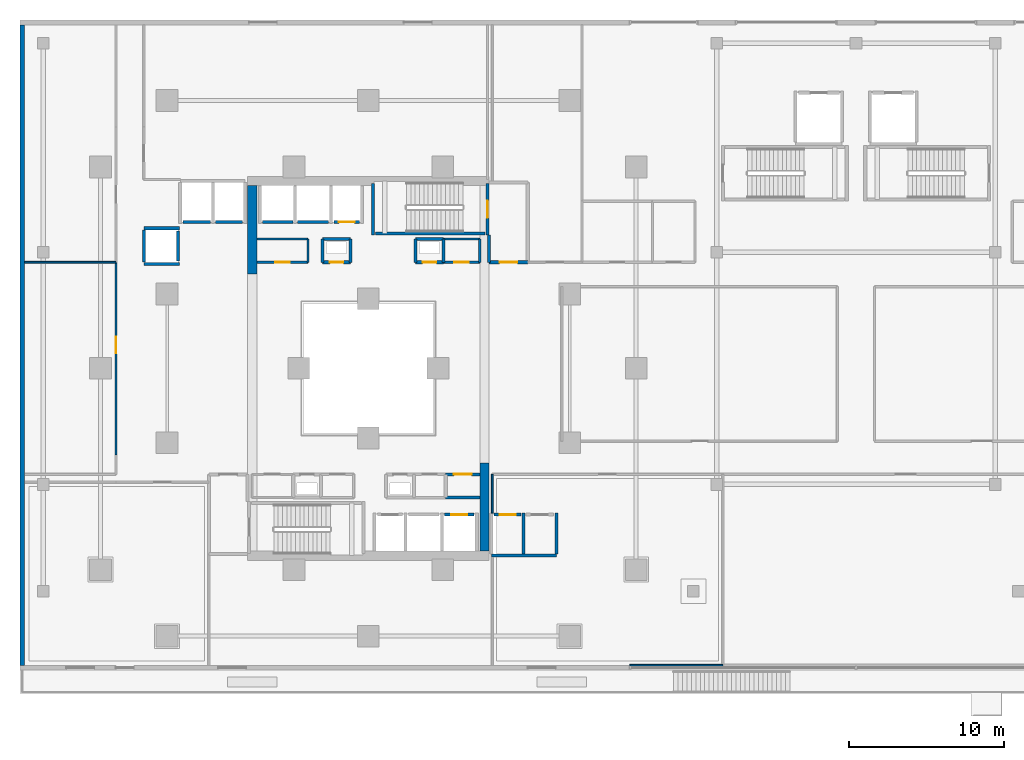
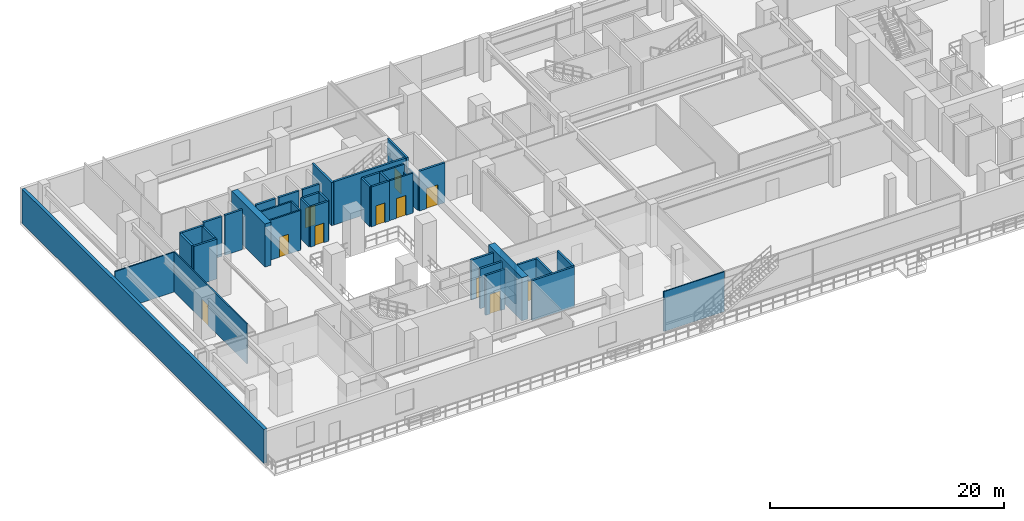
# One storey, part 14 of 25: 42 walls, 11 doors, 11 openings.
"""IFC4 building model written with IfcOpenShell, lengths in metres."""

from ifc_helpers import new_model, si_unit, direction, frame, frame_2d, origin, place, context, subcontext, project, spatial, rectangle, extrude, material, layer, layer_set, type_object, element, fill, save


model = new_model("IFC4")

# Units and contexts
model_context = context("Model", 3, precision=1e-05, world=origin(), true_north=direction((0.0, 1.0)))
body_context = subcontext(model_context, "Body", "Model", "MODEL_VIEW")
ifc_project = project(units=[si_unit("LENGTHUNIT", "METRE"), si_unit("AREAUNIT", "SQUARE_METRE"), si_unit("VOLUMEUNIT", "CUBIC_METRE"), si_unit("PLANEANGLEUNIT", "RADIAN"), si_unit("MASSUNIT", "GRAM", prefix="KILO")], contexts=[model_context])

# Site, building, storey
site_placement = place(None, origin())
site = spatial("IfcSite", under=ifc_project, at=site_placement, CompositionType="ELEMENT")
building_placement = place(site_placement, origin())
building = spatial("IfcBuilding", under=site, at=building_placement, Name="Thornwick Lancets Civic Towers", CompositionType="ELEMENT")
storey_placement = place(building_placement, frame((0.0, 0.0, 9.60009765625)))
storey = spatial("IfcBuildingStorey", under=building, at=storey_placement, Name="L02", CompositionType="ELEMENT", Elevation=9.60009765625)

# Wall, opening, door
ifc_material_1 = material(Name="Concrete blockwork C40/50", Category="masonry")
ifc_layer_1 = layer(ifc_material_1, 0.199951171875, Name="Concrete blockwork C40/50")
ifc_layer_set_1 = layer_set([ifc_layer_1], Name="Concrete blockwork C40/50")
wall_type_1 = type_object("IfcWallType", Name="WALL_COMP_200", PredefinedType="STANDARD", material=ifc_layer_set_1)
wall_1_placement = place(storey_placement, frame((30.429931640625, 17.550048828125, 0.0), z_axis=(0.0, 0.0, 1.0), x_axis=(1.0, 0.0, 0.0)))
wall_1 = element("IfcWall", 1, at=wall_1_placement, inside=storey, type_object=wall_type_1, Name="L02 Hoistway Front Wall PL-AL1", PredefinedType="STANDARD", context=body_context, shape_type="SweptSolid", body=[
    extrude(rectangle(XDim=1.89013671875, YDim=0.199951171875, at=frame_2d((0.945068359375, 0.0))), origin(), (0.0, 0.0, 1.0), 4.159912109375),
])
opening_1_placement = place(wall_1_placement, frame((0.43505859375, 0.0, 0.0)))
opening_1 = element("IfcOpeningElement", 2, at=opening_1_placement, cuts=wall_1, Name="Opening LD-PL-AL1", PredefinedType="OPENING", context=body_context, shape_type="SweptSolid", body=[
    extrude(rectangle(XDim=1.02001953125, YDim=2.06005859375, at=frame_2d((0.510009765625, 1.030029296875))), frame((0.0, 0.10986328125, 0.0), z_axis=(0.0, -1.0, 0.0), x_axis=(1.0, 0.0, 0.0)), (0.0, 0.0, 1.0), 0.219970703125),
])
ifc_material_2 = material(Name="Brushed bronze stainless steel", Category="steel")
door_type_1 = type_object("IfcDoorType", Name="DOOR_LIFT_SLIDE", OperationType="SLIDING_TO_LEFT", PredefinedType="DOOR", material=ifc_material_2)
door_1_placement = place(opening_1_placement, origin())
door_1 = element("IfcDoor", 3, at=door_1_placement, inside=storey, type_object=door_type_1, Name="L02 Sliding Lift Landing Door LD-PL-AL1", OperationType="SLIDING_TO_LEFT", OverallHeight=2.06005859375, OverallWidth=1.02001953125, PredefinedType="DOOR", context=body_context, shape_type="SweptSolid", body=[
    extrude(rectangle(XDim=1.02001953125, YDim=2.06005859375, at=frame_2d((0.510009765625, 1.030029296875))), frame((0.0, 0.02490234375, 0.0), z_axis=(0.0, -1.0, 0.0), x_axis=(1.0, 0.0, 0.0)), (0.0, 0.0, 1.0), 0.050048828125),
])
fill(opening_1, door_1)

wall_2_placement = place(storey_placement, frame((33.6298828125, 17.550048828125, 0.0), z_axis=(0.0, 0.0, 1.0), x_axis=(1.0, 0.0, 0.0)))
wall_2 = element("IfcWall", 4, at=wall_2_placement, inside=storey, type_object=wall_type_1, Name="L02 Hoistway Front Wall PL-AL2", PredefinedType="STANDARD", context=body_context, shape_type="SweptSolid", body=[
    extrude(rectangle(XDim=1.740234375, YDim=0.199951171875, at=frame_2d((0.8701171875, 0.0))), origin(), (0.0, 0.0, 1.0), 4.159912109375),
])
opening_2_placement = place(wall_2_placement, frame((0.360107421875, 0.0, 0.0)))
opening_2 = element("IfcOpeningElement", 5, at=opening_2_placement, cuts=wall_2, Name="Opening LD-PL-AL2", PredefinedType="OPENING", context=body_context, shape_type="SweptSolid", body=[
    extrude(rectangle(XDim=1.02001953125, YDim=2.06005859375, at=frame_2d((0.510009765625, 1.030029296875))), frame((0.0, 0.10986328125, 0.0), z_axis=(0.0, -1.0, 0.0), x_axis=(1.0, 0.0, 0.0)), (0.0, 0.0, 1.0), 0.219970703125),
])
door_2_placement = place(opening_2_placement, origin())
door_2 = element("IfcDoor", 6, at=door_2_placement, inside=storey, type_object=door_type_1, Name="L02 Sliding Lift Landing Door LD-PL-AL2", OperationType="SLIDING_TO_LEFT", OverallHeight=2.06005859375, OverallWidth=1.02001953125, PredefinedType="DOOR", context=body_context, shape_type="SweptSolid", body=[
    extrude(rectangle(XDim=1.02001953125, YDim=2.06005859375, at=frame_2d((0.510009765625, 1.030029296875))), frame((0.0, 0.02490234375, 0.0), z_axis=(0.0, -1.0, 0.0), x_axis=(1.0, 0.0, 0.0)), (0.0, 0.0, 1.0), 0.050048828125),
])
fill(opening_2, door_2)

wall_3_placement = place(storey_placement, frame((24.919921875, 36.449951171875, 0.0), z_axis=(0.0, 0.0, 1.0), x_axis=(-1.0, 0.0, 0.0)))
wall_3 = element("IfcWall", 7, at=wall_3_placement, inside=storey, type_object=wall_type_1, Name="L02 Hoistway Front Wall FL-A2", PredefinedType="STANDARD", context=body_context, shape_type="SweptSolid", body=[
    extrude(rectangle(XDim=1.639892578125, YDim=0.199951171875, at=frame_2d((0.81982421875, 0.0))), origin(), (0.0, 0.0, 1.0), 4.159912109375),
])
opening_3_placement = place(wall_3_placement, frame((0.31005859375, 0.0, 0.0)))
opening_3 = element("IfcOpeningElement", 8, at=opening_3_placement, cuts=wall_3, Name="Opening LD-FL-A2", PredefinedType="OPENING", context=body_context, shape_type="SweptSolid", body=[
    extrude(rectangle(XDim=1.02001953125, YDim=2.06005859375, at=frame_2d((0.510009765625, 1.030029296875))), frame((0.0, 0.10986328125, 0.0), z_axis=(0.0, -1.0, 0.0), x_axis=(1.0, 0.0, 0.0)), (0.0, 0.0, 1.0), 0.219970703125),
])
door_3_placement = place(opening_3_placement, origin())
door_3 = element("IfcDoor", 9, at=door_3_placement, inside=storey, type_object=door_type_1, Name="L02 Sliding Lift Landing Door LD-FL-A2", OperationType="SLIDING_TO_LEFT", OverallHeight=2.06005859375, OverallWidth=1.02001953125, PredefinedType="DOOR", context=body_context, shape_type="SweptSolid", body=[
    extrude(rectangle(XDim=1.02001953125, YDim=2.06005859375, at=frame_2d((0.510009765625, 1.030029296875))), frame((0.0, 0.02490234375, 0.0), z_axis=(0.0, -1.0, 0.0), x_axis=(1.0, 0.0, 0.0)), (0.0, 0.0, 1.0), 0.050048828125),
])
fill(opening_3, door_3)

# Walls
wall_4_placement = place(storey_placement, frame((22.919921875, 36.449951171875, 0.0), z_axis=(0.0, 0.0, 1.0), x_axis=(-1.0, 0.0, 0.0)))
element("IfcWall", 10, at=wall_4_placement, inside=storey, type_object=wall_type_1, Name="L02 Hoistway Front Wall PL-AH2", PredefinedType="STANDARD", context=body_context, shape_type="SweptSolid", body=[
    extrude(rectangle(XDim=1.989990234375, YDim=0.199951171875, at=frame_2d((0.9951171875, 0.0))), origin(), (0.0, 0.0, 1.0), 4.159912109375),
])
wall_5_placement = place(storey_placement, frame((20.6201171875, 36.449951171875, 0.0), z_axis=(0.0, 0.0, 1.0), x_axis=(-1.0, 0.0, 0.0)))
element("IfcWall", 11, at=wall_5_placement, inside=storey, type_object=wall_type_1, Name="L02 Hoistway Front Wall PL-AH3", PredefinedType="STANDARD", context=body_context, shape_type="SweptSolid", body=[
    extrude(rectangle(XDim=1.940185546875, YDim=0.199951171875, at=frame_2d((0.97021484375, 0.0))), origin(), (0.0, 0.0, 1.0), 4.159912109375),
])
wall_6_placement = place(storey_placement, frame((17.3701171875, 36.449951171875, 0.0), z_axis=(0.0, 0.0, 1.0), x_axis=(-1.0, 0.0, 0.0)))
element("IfcWall", 12, at=wall_6_placement, inside=storey, type_object=wall_type_1, Name="L02 Hoistway Front Wall PL-AM1", PredefinedType="STANDARD", context=body_context, shape_type="SweptSolid", body=[
    extrude(rectangle(XDim=1.740234375, YDim=0.199951171875, at=frame_2d((0.8701171875, 0.0))), origin(), (0.0, 0.0, 1.0), 4.159912109375),
])
wall_7_placement = place(storey_placement, frame((15.320068359375, 36.449951171875, 0.0), z_axis=(0.0, 0.0, 1.0), x_axis=(-1.0, 0.0, 0.0)))
element("IfcWall", 13, at=wall_7_placement, inside=storey, type_object=wall_type_1, Name="L02 Hoistway Front Wall PL-AM2", PredefinedType="STANDARD", context=body_context, shape_type="SweptSolid", body=[
    extrude(rectangle(XDim=1.7900390625, YDim=0.199951171875, at=frame_2d((0.89501953125, 0.0))), origin(), (0.0, 0.0, 1.0), 4.159912109375),
])
wall_8_placement = place(storey_placement, frame((13.199951171875, 33.929931640625, 0.0), z_axis=(0.0, 0.0, 1.0), x_axis=(0.0, 1.0, 0.0)))
element("IfcWall", 14, at=wall_8_placement, inside=storey, type_object=wall_type_1, Name="L02 Hoistway Front Wall PL-AM3", PredefinedType="STANDARD", context=body_context, shape_type="SweptSolid", body=[
    extrude(rectangle(XDim=1.940185546875, YDim=0.199951171875, at=frame_2d((0.97021484375, 0.0))), origin(), (0.0, 0.0, 1.0), 4.159912109375),
])
wall_9_placement = place(storey_placement, frame((33.451904296875, 14.89990234375, 0.0), z_axis=(0.0, 0.0, 1.0), x_axis=(1.0, 0.0, 0.0)))
element("IfcWall", 15, at=wall_9_placement, inside=storey, type_object=wall_type_1, Name="L02 Hoistway Shaft Wall PL-AL2 S", PredefinedType="STANDARD", context=body_context, shape_type="SweptSolid", body=[
    extrude(rectangle(XDim=4.196044921875, YDim=0.199951171875, at=frame_2d((2.09814453125, 0.0))), origin(), (0.0, 0.0, 1.0), 4.159912109375),
])
for number, where, z_axis, x_axis, name in (
    (16, (35.52490234375, 15.011962890625, 0.0), (0.0, 0.0, 1.0), (0.0, 1.0, 0.0), "L02 Hoistway Shaft Wall PL-AL2 E"),
    (17, (37.64990234375, 15.011962890625, 0.0), (0.0, 0.0, 1.0), (0.0, 1.0, 0.0), "L02 Hoistway Shaft Wall PL-AL3 E"),
):
    element("IfcWall", number, at=place(storey_placement, frame(where, z_axis=z_axis, x_axis=x_axis)), inside=storey, type_object=wall_type_1, Name=name, PredefinedType="STANDARD", context=body_context, shape_type="SweptSolid", body=[
        extrude(rectangle(XDim=2.635986328125, YDim=0.199951171875, at=frame_2d((1.31787109375, 0.0))), origin(), (0.0, 0.0, 1.0), 4.159912109375),
    ])
for number, where, z_axis, x_axis, name in (
    (18, (11.001953125, 36.050048828125, 0.0), (0.0, 0.0, 1.0), (1.0, 0.0, 0.0), "L02 Hoistway Shaft Wall PL-AM3 N"),
    (19, (11.001953125, 33.75, 0.0), (0.0, 0.0, 1.0), (1.0, 0.0, 0.0), "L02 Hoistway Shaft Wall PL-AM3 S"),
):
    element("IfcWall", number, at=place(storey_placement, frame(where, z_axis=z_axis, x_axis=x_axis)), inside=storey, type_object=wall_type_1, Name=name, PredefinedType="STANDARD", context=body_context, shape_type="SweptSolid", body=[
        extrude(rectangle(XDim=2.296142578125, YDim=0.199951171875, at=frame_2d((1.14794921875, 0.0))), origin(), (0.0, 0.0, 1.0), 4.159912109375),
    ])
wall_10_placement = place(storey_placement, frame((11.0, 33.862060546875, 0.0), z_axis=(0.0, 0.0, 1.0), x_axis=(0.0, 1.0, 0.0)))
element("IfcWall", 20, at=wall_10_placement, inside=storey, type_object=wall_type_1, Name="L02 Hoistway Shaft Wall PL-AM3 W", PredefinedType="STANDARD", context=body_context, shape_type="SweptSolid", body=[
    extrude(rectangle(XDim=2.075927734375, YDim=0.199951171875, at=frame_2d((1.0380859375, 0.0))), origin(), (0.0, 0.0, 1.0), 4.159912109375),
])

# Wall, opening, door
wall_11_placement = place(storey_placement, frame((33.300048828125, 33.85009765625, 0.0), z_axis=(0.0, 0.0, 1.0), x_axis=(1.0, 0.0, 0.0)))
wall_11 = element("IfcWall", 21, at=wall_11_placement, inside=storey, type_object=wall_type_1, Name="L02 Partition L02-A-FFLOB2 E1", PredefinedType="STANDARD", context=body_context, shape_type="SweptSolid", body=[
    extrude(rectangle(XDim=2.5, YDim=0.199951171875, at=frame_2d((1.25, 0.0))), origin(), (0.0, 0.0, 1.0), 4.159912109375),
])
opening_4_placement = place(wall_11_placement, frame((0.675048828125, 0.0, 0.0)))
opening_4 = element("IfcOpeningElement", 22, at=opening_4_placement, cuts=wall_11, Name="Opening D-L02-0139", PredefinedType="OPENING", context=body_context, shape_type="SweptSolid", body=[
    extrude(rectangle(XDim=1.14990234375, YDim=2.10009765625, at=frame_2d((0.574951171875, 1.050048828125))), frame((0.0, 0.10986328125, 0.0), z_axis=(0.0, -1.0, 0.0), x_axis=(1.0, 0.0, 0.0)), (0.0, 0.0, 1.0), 0.219970703125),
])
ifc_material_3 = material(Name="Glazed fire-resisting steel", Category="steel")
door_type_2 = type_object("IfcDoorType", Name="DOOR_LOBBY_FD60", OperationType="NOTDEFINED", PredefinedType="DOOR", material=ifc_material_3)
door_4_placement = place(opening_4_placement, origin())
door_4 = element("IfcDoor", 23, at=door_4_placement, inside=storey, type_object=door_type_2, Name="L02 North Firefighting Lobby 2 Door", OperationType="SINGLE_SWING_RIGHT", OverallHeight=2.10009765625, OverallWidth=1.14990234375, PredefinedType="DOOR", context=body_context, shape_type="SweptSolid", body=[
    extrude(rectangle(XDim=1.14990234375, YDim=2.10009765625, at=frame_2d((0.574951171875, 1.050048828125))), frame((0.0, 0.02490234375, 0.0), z_axis=(0.0, -1.0, 0.0), x_axis=(1.0, 0.0, 0.0)), (0.0, 0.0, 1.0), 0.050048828125),
])
fill(opening_4, door_4)

# Wall
wall_12_placement = place(storey_placement, frame((33.300048828125, 35.60009765625, 0.0), z_axis=(0.0, 0.0, 1.0), x_axis=(0.0, -1.0, 0.0)))
element("IfcWall", 24, at=wall_12_placement, inside=storey, type_object=wall_type_1, Name="L02 Partition L02-A-FFLOB2 E4", PredefinedType="STANDARD", context=body_context, shape_type="SweptSolid", body=[
    extrude(rectangle(XDim=1.75, YDim=0.199951171875, at=frame_2d((0.875, 0.0))), origin(), (0.0, 0.0, 1.0), 3.364990234375),
])

# Wall, opening, door
wall_13_placement = place(storey_placement, frame((22.550048828125, 33.85009765625, 0.0), z_axis=(0.0, 0.0, 1.0), x_axis=(1.0, 0.0, 0.0)))
wall_13 = element("IfcWall", 25, at=wall_13_placement, inside=storey, type_object=wall_type_1, Name="L02 Partition L02-A-DUCT2 E1", PredefinedType="STANDARD", context=body_context, shape_type="SweptSolid", body=[
    extrude(rectangle(XDim=1.800048828125, YDim=0.199951171875, at=frame_2d((0.89990234375, 0.0))), origin(), (0.0, 0.0, 1.0), 4.159912109375),
])
opening_5_placement = place(wall_13_placement, frame((0.4599609375, 0.0, 0.0)))
opening_5 = element("IfcOpeningElement", 26, at=opening_5_placement, cuts=wall_13, Name="Opening D-L02-0142", PredefinedType="OPENING", context=body_context, shape_type="SweptSolid", body=[
    extrude(rectangle(XDim=0.8798828125, YDim=2.0400390625, at=frame_2d((0.43994140625, 1.02001953125))), frame((0.0, 0.10986328125, 0.0), z_axis=(0.0, -1.0, 0.0), x_axis=(1.0, 0.0, 0.0)), (0.0, 0.0, 1.0), 0.219970703125),
])
ifc_material_4 = material(Name="Steel riser access doorset", Category="steel")
door_type_3 = type_object("IfcDoorType", Name="DOOR_RISER_850", OperationType="NOTDEFINED", PredefinedType="DOOR", material=ifc_material_4)
door_5_placement = place(opening_5_placement, origin())
door_5 = element("IfcDoor", 27, at=door_5_placement, inside=storey, type_object=door_type_3, Name="L02 North Service Duct 2 Door", OperationType="SINGLE_SWING_LEFT", OverallHeight=2.0400390625, OverallWidth=0.8798828125, PredefinedType="DOOR", context=body_context, shape_type="SweptSolid", body=[
    extrude(rectangle(XDim=0.8798828125, YDim=2.0400390625, at=frame_2d((0.43994140625, 1.02001953125))), frame((0.0, 0.02490234375, 0.0), z_axis=(0.0, -1.0, 0.0), x_axis=(1.0, 0.0, 0.0)), (0.0, 0.0, 1.0), 0.050048828125),
])
fill(opening_5, door_5)

# Walls
wall_14_placement = place(storey_placement, frame((24.35009765625, 33.85009765625, 0.0), z_axis=(0.0, 0.0, 1.0), x_axis=(0.0, 1.0, 0.0)))
element("IfcWall", 28, at=wall_14_placement, inside=storey, type_object=wall_type_1, Name="L02 Partition L02-A-DUCT2 E2", PredefinedType="STANDARD", context=body_context, shape_type="SweptSolid", body=[
    extrude(rectangle(XDim=1.5, YDim=0.199951171875, at=frame_2d((0.75, 0.0))), origin(), (0.0, 0.0, 1.0), 4.159912109375),
])
wall_15_placement = place(storey_placement, frame((24.35009765625, 35.35009765625, 0.0), z_axis=(0.0, 0.0, 1.0), x_axis=(-1.0, 0.0, 0.0)))
element("IfcWall", 29, at=wall_15_placement, inside=storey, type_object=wall_type_1, Name="L02 Partition L02-A-DUCT2 E3", PredefinedType="STANDARD", context=body_context, shape_type="SweptSolid", body=[
    extrude(rectangle(XDim=1.800048828125, YDim=0.199951171875, at=frame_2d((0.89990234375, 0.0))), origin(), (0.0, 0.0, 1.0), 4.159912109375),
])
wall_16_placement = place(storey_placement, frame((22.550048828125, 35.35009765625, 0.0), z_axis=(0.0, 0.0, 1.0), x_axis=(0.0, -1.0, 0.0)))
element("IfcWall", 30, at=wall_16_placement, inside=storey, type_object=wall_type_1, Name="L02 Partition L02-A-DUCT2 E4", PredefinedType="STANDARD", context=body_context, shape_type="SweptSolid", body=[
    extrude(rectangle(XDim=1.5, YDim=0.199951171875, at=frame_2d((0.75, 0.0))), origin(), (0.0, 0.0, 1.0), 4.159912109375),
])

# Wall, opening, door
wall_17_placement = place(storey_placement, frame((28.550048828125, 33.85009765625, 0.0), z_axis=(0.0, 0.0, 1.0), x_axis=(1.0, 0.0, 0.0)))
wall_17 = element("IfcWall", 31, at=wall_17_placement, inside=storey, type_object=wall_type_1, Name="L02 Partition L02-A-RISER2 E1", PredefinedType="STANDARD", context=body_context, shape_type="SweptSolid", body=[
    extrude(rectangle(XDim=1.800048828125, YDim=0.199951171875, at=frame_2d((0.89990234375, 0.0))), origin(), (0.0, 0.0, 1.0), 4.159912109375),
])
opening_6_placement = place(wall_17_placement, frame((0.4599609375, 0.0, 0.0)))
opening_6 = element("IfcOpeningElement", 32, at=opening_6_placement, cuts=wall_17, Name="Opening D-L02-0143", PredefinedType="OPENING", context=body_context, shape_type="SweptSolid", body=[
    extrude(rectangle(XDim=0.8798828125, YDim=2.0400390625, at=frame_2d((0.43994140625, 1.02001953125))), frame((0.0, 0.10986328125, 0.0), z_axis=(0.0, -1.0, 0.0), x_axis=(1.0, 0.0, 0.0)), (0.0, 0.0, 1.0), 0.219970703125),
])
door_6_placement = place(opening_6_placement, origin())
door_6 = element("IfcDoor", 33, at=door_6_placement, inside=storey, type_object=door_type_3, Name="L02 North Service Riser 2 Door", OperationType="SINGLE_SWING_RIGHT", OverallHeight=2.0400390625, OverallWidth=0.8798828125, PredefinedType="DOOR", context=body_context, shape_type="SweptSolid", body=[
    extrude(rectangle(XDim=0.8798828125, YDim=2.0400390625, at=frame_2d((0.43994140625, 1.02001953125))), frame((0.0, 0.02490234375, 0.0), z_axis=(0.0, -1.0, 0.0), x_axis=(1.0, 0.0, 0.0)), (0.0, 0.0, 1.0), 0.050048828125),
])
fill(opening_6, door_6)

# Walls
wall_18_placement = place(storey_placement, frame((30.35009765625, 33.85009765625, 0.0), z_axis=(0.0, 0.0, 1.0), x_axis=(0.0, 1.0, 0.0)))
element("IfcWall", 34, at=wall_18_placement, inside=storey, type_object=wall_type_1, Name="L02 Partition L02-A-RISER2 E2", PredefinedType="STANDARD", context=body_context, shape_type="SweptSolid", body=[
    extrude(rectangle(XDim=1.5, YDim=0.199951171875, at=frame_2d((0.75, 0.0))), origin(), (0.0, 0.0, 1.0), 4.159912109375),
])
wall_19_placement = place(storey_placement, frame((30.35009765625, 35.35009765625, 0.0), z_axis=(0.0, 0.0, 1.0), x_axis=(-1.0, 0.0, 0.0)))
element("IfcWall", 35, at=wall_19_placement, inside=storey, type_object=wall_type_1, Name="L02 Partition L02-A-RISER2 E3", PredefinedType="STANDARD", context=body_context, shape_type="SweptSolid", body=[
    extrude(rectangle(XDim=1.800048828125, YDim=0.199951171875, at=frame_2d((0.89990234375, 0.0))), origin(), (0.0, 0.0, 1.0), 4.159912109375),
])
wall_20_placement = place(storey_placement, frame((28.550048828125, 35.35009765625, 0.0), z_axis=(0.0, 0.0, 1.0), x_axis=(0.0, -1.0, 0.0)))
element("IfcWall", 36, at=wall_20_placement, inside=storey, type_object=wall_type_1, Name="L02 Partition L02-A-RISER2 E4", PredefinedType="STANDARD", context=body_context, shape_type="SweptSolid", body=[
    extrude(rectangle(XDim=1.5, YDim=0.199951171875, at=frame_2d((0.75, 0.0))), origin(), (0.0, 0.0, 1.0), 4.159912109375),
])
wall_21_placement = place(storey_placement, frame((32.699951171875, 18.64990234375, 0.0), z_axis=(0.0, 0.0, 1.0), x_axis=(-1.0, 0.0, 0.0)))
element("IfcWall", 37, at=wall_21_placement, inside=storey, type_object=wall_type_1, Name="L02 Partition L02-A-STR2 E2", PredefinedType="STANDARD", context=body_context, shape_type="SweptSolid", body=[
    extrude(rectangle(XDim=2.199951171875, YDim=0.199951171875, at=frame_2d((1.10009765625, 0.0))), origin(), (0.0, 0.0, 1.0), 4.159912109375),
])

# Wall, opening, door
wall_22_placement = place(storey_placement, frame((30.5, 20.14990234375, 0.0), z_axis=(0.0, 0.0, 1.0), x_axis=(1.0, 0.0, 0.0)))
wall_22 = element("IfcWall", 38, at=wall_22_placement, inside=storey, type_object=wall_type_1, Name="L02 Partition L02-A-STR2 E4", PredefinedType="STANDARD", context=body_context, shape_type="SweptSolid", body=[
    extrude(rectangle(XDim=2.199951171875, YDim=0.199951171875, at=frame_2d((1.10009765625, 0.0))), origin(), (0.0, 0.0, 1.0), 4.159912109375),
])
opening_7_placement = place(wall_22_placement, frame((0.52490234375, 0.0, 0.0)))
opening_7 = element("IfcOpeningElement", 39, at=opening_7_placement, cuts=wall_22, Name="Opening D-L02-0147", PredefinedType="OPENING", context=body_context, shape_type="SweptSolid", body=[
    extrude(rectangle(XDim=1.14990234375, YDim=2.10009765625, at=frame_2d((0.574951171875, 1.050048828125))), frame((0.0, 0.10986328125, 0.0), z_axis=(0.0, -1.0, 0.0), x_axis=(1.0, 0.0, 0.0)), (0.0, 0.0, 1.0), 0.219970703125),
])
door_7_placement = place(opening_7_placement, origin())
door_7 = element("IfcDoor", 40, at=door_7_placement, inside=storey, type_object=door_type_2, Name="L02 Tower A Core Supplies Store Door", OperationType="SINGLE_SWING_RIGHT", OverallHeight=2.10009765625, OverallWidth=1.14990234375, PredefinedType="DOOR", context=body_context, shape_type="SweptSolid", body=[
    extrude(rectangle(XDim=1.14990234375, YDim=2.10009765625, at=frame_2d((0.574951171875, 1.050048828125))), frame((0.0, 0.02490234375, 0.0), z_axis=(0.0, -1.0, 0.0), x_axis=(1.0, 0.0, 0.0)), (0.0, 0.0, 1.0), 0.050048828125),
])
fill(opening_7, door_7)

# Walls
ifc_material_5 = material(Name="Concrete C60/75", Category="concrete")
ifc_layer_2 = layer(ifc_material_5, 0.60009765625, Name="Concrete C60/75")
ifc_layer_set_2 = layer_set([ifc_layer_2], Name="Concrete C60/75")
wall_type_2 = type_object("IfcWallType", Name="WALL_CORE_600", PredefinedType="SHEAR", material=ifc_layer_set_2)
for number, where, z_axis, x_axis, name in (
    (41, (33.0, 15.199951171875, 0.0), (0.0, 0.0, 1.0), (0.0, 1.0, 0.0), "L02 Split Core A1 Shear Wall E"),
    (42, (18.0, 33.10009765625, 0.0), (0.0, 0.0, 1.0), (0.0, 1.0, 0.0), "L02 Split Core A2 Shear Wall W"),
):
    element("IfcWall", number, at=place(storey_placement, frame(where, z_axis=z_axis, x_axis=x_axis)), inside=storey, type_object=wall_type_2, Name=name, PredefinedType="SHEAR", context=body_context, shape_type="SweptSolid", body=[
        extrude(rectangle(XDim=5.699951171875, YDim=0.60009765625, at=frame_2d((2.85009765625, 0.0))), origin(), (0.0, 0.0, 1.0), 4.5),
    ])
ifc_material_6 = material(Name="Insulated russet terracotta rainscreen on concrete C40/50", Category="masonry")
ifc_layer_3 = layer(ifc_material_6, 0.300048828125, Name="Insulated russet terracotta rainscreen on concrete C40/50")
ifc_layer_set_3 = layer_set([ifc_layer_3], Name="Insulated russet terracotta rainscreen on concrete C40/50")
wall_type_3 = type_object("IfcWallType", Name="WALL_EXT_RUSSET_300", PredefinedType="STANDARD", material=ifc_layer_set_3)
wall_23_placement = place(storey_placement, frame((3.14990234375, 49.179931640625, 0.0), z_axis=(0.0, 0.0, 1.0), x_axis=(0.0, -1.0, 0.0)))
element("IfcWall", 43, at=wall_23_placement, inside=storey, type_object=wall_type_3, Name="L02 Podium West Facade Wall", PredefinedType="STANDARD", context=body_context, shape_type="SweptSolid", body=[
    extrude(rectangle(XDim=41.35986328125, YDim=0.300048828125, at=frame_2d((20.679931640625, 0.0))), origin(), (0.0, 0.0, 1.0), 3.559814453125),
])
ifc_material_7 = material(Name="Acoustic gypsum board partition")
ifc_layer_4 = layer(ifc_material_7, 0.1201171875, Name="Acoustic gypsum board partition")
ifc_layer_set_4 = layer_set([ifc_layer_4], Name="Acoustic gypsum board partition")
wall_type_4 = type_object("IfcWallType", Name="WALL_PART_120", PredefinedType="PARTITIONING", material=ifc_layer_set_4)
wall_24_placement = place(storey_placement, frame((48.39990234375, 7.820068359375, 0.0), z_axis=(0.0, 0.0, 1.0), x_axis=(-1.0, 0.0, 0.0)))
element("IfcWall", 44, at=wall_24_placement, inside=storey, type_object=wall_type_4, Name="L02 Partition L02-RECEP E1", PredefinedType="PARTITIONING", context=body_context, shape_type="SweptSolid", body=[
    extrude(rectangle(XDim=6.0, YDim=0.1201171875, at=frame_2d((3.0, 0.0))), origin(), (0.0, 0.0, 1.0), 4.159912109375),
])
wall_25_placement = place(storey_placement, frame((33.5, 17.64794921875, 0.0), z_axis=(0.0, 0.0, 1.0), x_axis=(0.0, 1.0, 0.0)))
element("IfcWall", 45, at=wall_25_placement, inside=storey, type_object=wall_type_4, Name="L02 Partition L02-RECEP E2", PredefinedType="PARTITIONING", context=body_context, shape_type="SweptSolid", body=[
    extrude(rectangle(XDim=2.501953125, YDim=0.1201171875, at=frame_2d((1.2509765625, 0.0))), origin(), (0.0, 0.0, 1.0), 4.159912109375),
])
wall_26_placement = place(storey_placement, frame((3.300048828125, 33.85009765625, 0.0), z_axis=(0.0, 0.0, 1.0), x_axis=(1.0, 0.0, 0.0)))
element("IfcWall", 46, at=wall_26_placement, inside=storey, type_object=wall_type_4, Name="L02 Partition L02-WSUITE E2", PredefinedType="PARTITIONING", context=body_context, shape_type="SweptSolid", body=[
    extrude(rectangle(XDim=5.89990234375, YDim=0.1201171875, at=frame_2d((2.949951171875, 0.0))), origin(), (0.0, 0.0, 1.0), 4.159912109375),
])

# Wall, opening, door
wall_27_placement = place(storey_placement, frame((9.199951171875, 33.85009765625, 0.0), z_axis=(0.0, 0.0, 1.0), x_axis=(0.0, -1.0, 0.0)))
wall_27 = element("IfcWall", 47, at=wall_27_placement, inside=storey, type_object=wall_type_4, Name="L02 Partition L02-WSUITE E3", PredefinedType="PARTITIONING", context=body_context, shape_type="SweptSolid", body=[
    extrude(rectangle(XDim=12.4501953125, YDim=0.1201171875, at=frame_2d((6.22509765625, 0.0))), origin(), (0.0, 0.0, 1.0), 4.159912109375),
])
opening_8_placement = place(wall_27_placement, frame((4.820068359375, 0.0, 0.0)))
opening_8 = element("IfcOpeningElement", 48, at=opening_8_placement, cuts=wall_27, Name="Opening D-L02-0170", PredefinedType="OPENING", context=body_context, shape_type="SweptSolid", body=[
    extrude(rectangle(XDim=1.050048828125, YDim=2.10009765625, at=frame_2d((0.52490234375, 1.050048828125))), frame((0.0, 0.070068359375, 0.0), z_axis=(0.0, -1.0, 0.0), x_axis=(1.0, 0.0, 0.0)), (0.0, 0.0, 1.0), 0.14013671875),
])
ifc_material_8 = material(Name="Glazed European oak executive doorset")
door_type_4 = type_object("IfcDoorType", Name="DOOR_OFFICE_1050", OperationType="NOTDEFINED", PredefinedType="DOOR", material=ifc_material_8)
door_8_placement = place(opening_8_placement, origin())
door_8 = element("IfcDoor", 49, at=door_8_placement, inside=storey, type_object=door_type_4, Name="L02 West Policy Research Office Door", OperationType="SINGLE_SWING_LEFT", OverallHeight=2.10009765625, OverallWidth=1.050048828125, PredefinedType="DOOR", context=body_context, shape_type="SweptSolid", body=[
    extrude(rectangle(XDim=1.050048828125, YDim=2.10009765625, at=frame_2d((0.52490234375, 1.050048828125))), frame((0.0, 0.02490234375, 0.0), z_axis=(0.0, -1.0, 0.0), x_axis=(1.0, 0.0, 0.0)), (0.0, 0.0, 1.0), 0.050048828125),
])
fill(opening_8, door_8)

ifc_material_9 = material(Name="Twin-stud acoustic gypsum board")
ifc_layer_5 = layer(ifc_material_9, 0.14990234375, Name="Twin-stud acoustic gypsum board")
ifc_layer_set_5 = layer_set([ifc_layer_5], Name="Twin-stud acoustic gypsum board")
wall_type_5 = type_object("IfcWallType", Name="WALL_PART_150", PredefinedType="PARTITIONING", material=ifc_layer_set_5)
wall_28_placement = place(storey_placement, frame((18.300048828125, 33.85009765625, 0.0), z_axis=(0.0, 0.0, 1.0), x_axis=(1.0, 0.0, 0.0)))
wall_28 = element("IfcWall", 50, at=wall_28_placement, inside=storey, type_object=wall_type_5, Name="L02 Partition L02-A-MWC E1", PredefinedType="PARTITIONING", context=body_context, shape_type="SweptSolid", body=[
    extrude(rectangle(XDim=3.300048828125, YDim=0.14990234375, at=frame_2d((1.64990234375, 0.0))), origin(), (0.0, 0.0, 1.0), 4.159912109375),
])
opening_9_placement = place(wall_28_placement, frame((1.18994140625, 0.0, 0.0)))
opening_9 = element("IfcOpeningElement", 51, at=opening_9_placement, cuts=wall_28, Name="Opening D-L02-0148", PredefinedType="OPENING", context=body_context, shape_type="SweptSolid", body=[
    extrude(rectangle(XDim=0.919921875, YDim=2.080078125, at=frame_2d((0.4599609375, 1.0400390625))), frame((0.0, 0.0849609375, 0.0), z_axis=(0.0, -1.0, 0.0), x_axis=(1.0, 0.0, 0.0)), (0.0, 0.0, 1.0), 0.169921875),
])
ifc_material_10 = material(Name="Moisture-resistant oak doorset")
door_type_5 = type_object("IfcDoorType", Name="DOOR_WC_900", OperationType="NOTDEFINED", PredefinedType="DOOR", material=ifc_material_10)
door_9_placement = place(opening_9_placement, origin())
door_9 = element("IfcDoor", 52, at=door_9_placement, inside=storey, type_object=door_type_5, Name="L02 Tower A Male WC Door", OperationType="SINGLE_SWING_LEFT", OverallHeight=2.080078125, OverallWidth=0.919921875, PredefinedType="DOOR", context=body_context, shape_type="SweptSolid", body=[
    extrude(rectangle(XDim=0.919921875, YDim=2.080078125, at=frame_2d((0.4599609375, 1.0400390625))), frame((0.0, 0.02490234375, 0.0), z_axis=(0.0, -1.0, 0.0), x_axis=(1.0, 0.0, 0.0)), (0.0, 0.0, 1.0), 0.050048828125),
])
fill(opening_9, door_9)

# Walls
wall_29_placement = place(storey_placement, frame((21.60009765625, 33.85009765625, 0.0), z_axis=(0.0, 0.0, 1.0), x_axis=(0.0, 1.0, 0.0)))
element("IfcWall", 53, at=wall_29_placement, inside=storey, type_object=wall_type_5, Name="L02 Partition L02-A-MWC E2", PredefinedType="PARTITIONING", context=body_context, shape_type="SweptSolid", body=[
    extrude(rectangle(XDim=1.5, YDim=0.14990234375, at=frame_2d((0.75, 0.0))), origin(), (0.0, 0.0, 1.0), 4.159912109375),
])
wall_30_placement = place(storey_placement, frame((21.60009765625, 35.35009765625, 0.0), z_axis=(0.0, 0.0, 1.0), x_axis=(-1.0, 0.0, 0.0)))
element("IfcWall", 54, at=wall_30_placement, inside=storey, type_object=wall_type_5, Name="L02 Partition L02-A-MWC E3", PredefinedType="PARTITIONING", context=body_context, shape_type="SweptSolid", body=[
    extrude(rectangle(XDim=3.300048828125, YDim=0.14990234375, at=frame_2d((1.64990234375, 0.0))), origin(), (0.0, 0.0, 1.0), 4.159912109375),
])
wall_31_placement = place(storey_placement, frame((32.699951171875, 35.35009765625, 0.0), z_axis=(0.0, 0.0, 1.0), x_axis=(0.0, -1.0, 0.0)))
element("IfcWall", 55, at=wall_31_placement, inside=storey, type_object=wall_type_5, Name="L02 Partition L02-A-FWC E1", PredefinedType="PARTITIONING", context=body_context, shape_type="SweptSolid", body=[
    extrude(rectangle(XDim=1.5, YDim=0.14990234375, at=frame_2d((0.75, 0.0))), origin(), (0.0, 0.0, 1.0), 3.364990234375),
])

# Wall, opening, door
wall_32_placement = place(storey_placement, frame((32.699951171875, 33.85009765625, 0.0), z_axis=(0.0, 0.0, 1.0), x_axis=(-1.0, 0.0, 0.0)))
wall_32 = element("IfcWall", 56, at=wall_32_placement, inside=storey, type_object=wall_type_5, Name="L02 Partition L02-A-FWC E2", PredefinedType="PARTITIONING", context=body_context, shape_type="SweptSolid", body=[
    extrude(rectangle(XDim=2.349853515625, YDim=0.14990234375, at=frame_2d((1.1748046875, 0.0))), origin(), (0.0, 0.0, 1.0), 4.159912109375),
])
opening_10_placement = place(wall_32_placement, frame((0.715087890625, 0.0, 0.0)))
opening_10 = element("IfcOpeningElement", 57, at=opening_10_placement, cuts=wall_32, Name="Opening D-L02-0149", PredefinedType="OPENING", context=body_context, shape_type="SweptSolid", body=[
    extrude(rectangle(XDim=0.919921875, YDim=2.080078125, at=frame_2d((0.4599609375, 1.0400390625))), frame((0.0, 0.0849609375, 0.0), z_axis=(0.0, -1.0, 0.0), x_axis=(1.0, 0.0, 0.0)), (0.0, 0.0, 1.0), 0.169921875),
])
door_10_placement = place(opening_10_placement, origin())
door_10 = element("IfcDoor", 58, at=door_10_placement, inside=storey, type_object=door_type_5, Name="L02 Tower A Female WC Door", OperationType="SINGLE_SWING_RIGHT", OverallHeight=2.080078125, OverallWidth=0.919921875, PredefinedType="DOOR", context=body_context, shape_type="SweptSolid", body=[
    extrude(rectangle(XDim=0.919921875, YDim=2.080078125, at=frame_2d((0.4599609375, 1.0400390625))), frame((0.0, 0.02490234375, 0.0), z_axis=(0.0, -1.0, 0.0), x_axis=(1.0, 0.0, 0.0)), (0.0, 0.0, 1.0), 0.050048828125),
])
fill(opening_10, door_10)

# Wall
wall_33_placement = place(storey_placement, frame((30.35009765625, 35.35009765625, 0.0), z_axis=(0.0, 0.0, 1.0), x_axis=(1.0, 0.0, 0.0)))
element("IfcWall", 59, at=wall_33_placement, inside=storey, type_object=wall_type_5, Name="L02 Partition L02-A-FWC E4", PredefinedType="PARTITIONING", context=body_context, shape_type="SweptSolid", body=[
    extrude(rectangle(XDim=2.349853515625, YDim=0.14990234375, at=frame_2d((1.1748046875, 0.0))), origin(), (0.0, 0.0, 1.0), 4.159912109375),
])

# Wall, opening, door
ifc_material_11 = material(Name="Concrete C40/50", Category="concrete")
ifc_layer_6 = layer(ifc_material_11, 0.199951171875, Name="Concrete C40/50")
ifc_layer_set_6 = layer_set([ifc_layer_6], Name="Concrete C40/50")
wall_type_6 = type_object("IfcWallType", Name="WALL_SHAFT_200", PredefinedType="SHEAR", material=ifc_layer_set_6)
wall_34_placement = place(storey_placement, frame((33.199951171875, 38.949951171875, 0.0), z_axis=(0.0, 0.0, 1.0), x_axis=(0.0, -1.0, 0.0)))
wall_34 = element("IfcWall", 60, at=wall_34_placement, inside=storey, type_object=wall_type_6, Name="L02 ST-A2 Fire Stair Core Wall NEAR", PredefinedType="SHEAR", context=body_context, shape_type="SweptSolid", body=[
    extrude(rectangle(XDim=3.349853515625, YDim=0.199951171875, at=frame_2d((1.6748046875, 0.0))), origin(), (0.0, 0.0, 1.0), 4.5),
])
opening_11_placement = place(wall_34_placement, frame((1.125, 0.0, 0.0)))
opening_11 = element("IfcOpeningElement", 61, at=opening_11_placement, cuts=wall_34, Name="Opening D-ST-A2-L02", PredefinedType="OPENING", context=body_context, shape_type="SweptSolid", body=[
    extrude(rectangle(XDim=1.10009765625, YDim=2.10009765625, at=frame_2d((0.550048828125, 1.050048828125))), frame((0.0, 0.10986328125, 0.0), z_axis=(0.0, -1.0, 0.0), x_axis=(1.0, 0.0, 0.0)), (0.0, 0.0, 1.0), 0.219970703125),
])
ifc_material_12 = material(Name="Fire-resisting steel and hardwood", Category="steel")
door_type_6 = type_object("IfcDoorType", Name="DOOR_STAIR_FD60", OperationType="NOTDEFINED", PredefinedType="DOOR", material=ifc_material_12)
door_11_placement = place(opening_11_placement, origin())
door_11 = element("IfcDoor", 62, at=door_11_placement, inside=storey, type_object=door_type_6, Name="L02 ST-A2 Exit Stair Door", OperationType="SINGLE_SWING_RIGHT", OverallHeight=2.10009765625, OverallWidth=1.10009765625, PredefinedType="DOOR", context=body_context, shape_type="SweptSolid", body=[
    extrude(rectangle(XDim=1.10009765625, YDim=2.10009765625, at=frame_2d((0.550048828125, 1.050048828125))), frame((0.0, 0.02490234375, 0.0), z_axis=(0.0, -1.0, 0.0), x_axis=(1.0, 0.0, 0.0)), (0.0, 0.0, 1.0), 0.050048828125),
])
fill(opening_11, door_11)

# Walls
wall_35_placement = place(storey_placement, frame((25.800048828125, 35.60009765625, 0.0), z_axis=(0.0, 0.0, 1.0), x_axis=(0.0, 1.0, 0.0)))
element("IfcWall", 63, at=wall_35_placement, inside=storey, type_object=wall_type_6, Name="L02 ST-A2 Fire Stair Core Wall FAR", PredefinedType="SHEAR", context=body_context, shape_type="SweptSolid", body=[
    extrude(rectangle(XDim=3.349853515625, YDim=0.199951171875, at=frame_2d((1.6748046875, 0.0))), origin(), (0.0, 0.0, 1.0), 4.5),
])
wall_36_placement = place(storey_placement, frame((25.949951171875, 35.702880859375, 0.0), z_axis=(0.0, 0.0, 1.0), x_axis=(1.0, 0.0, 0.0)))
element("IfcWall", 64, at=wall_36_placement, inside=storey, type_object=wall_type_6, Name="L02 ST-A2 Fire Stair Core Wall RIGHT", PredefinedType="SHEAR", context=body_context, shape_type="SweptSolid", body=[
    extrude(rectangle(XDim=7.10009765625, YDim=0.199951171875, at=frame_2d((3.550048828125, 0.0))), origin(), (0.0, 0.0, 1.0), 4.5),
])

save(model, "model.ifc")
